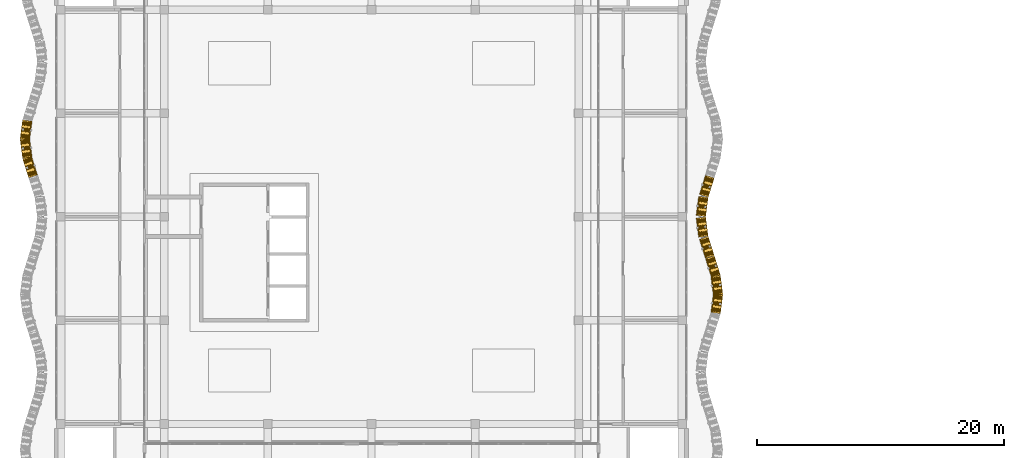
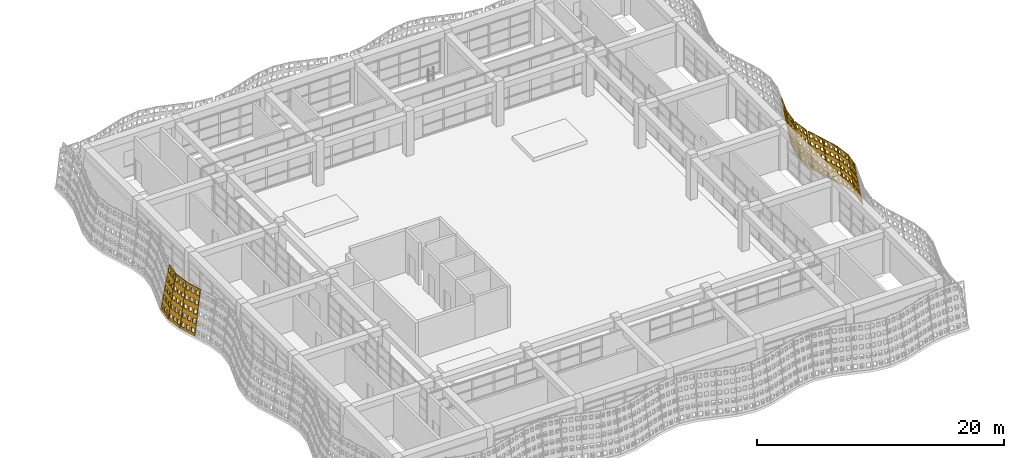
# One storey, part 78 of 85: 10 coverings.
"""IFC4 building model written with IfcOpenShell, lengths in metres."""

from ifc_helpers import new_model, si_unit, direction, frame, origin, place, context, subcontext, project, spatial, polyline, outline, extrude, material, layer, layer_set, type_object, element, save


model = new_model("IFC4")

# Units and contexts
model_context = context("Model", 3, precision=1e-05, world=origin(), true_north=direction((0.0, 1.0)))
body_context = subcontext(model_context, "Body", "Model", "MODEL_VIEW")
ifc_project = project(units=[si_unit("LENGTHUNIT", "METRE"), si_unit("AREAUNIT", "SQUARE_METRE"), si_unit("VOLUMEUNIT", "CUBIC_METRE"), si_unit("PLANEANGLEUNIT", "RADIAN"), si_unit("MASSUNIT", "GRAM", prefix="KILO")], contexts=[model_context])

# Site, building, storey
site_placement = place(None, origin())
site = spatial("IfcSite", under=ifc_project, at=site_placement, CompositionType="ELEMENT")
building_placement = place(site_placement, origin())
building = spatial("IfcBuilding", under=site, at=building_placement, Name="Rain Tree Exposition and Congress Centre", CompositionType="ELEMENT")
storey_placement = place(building_placement, frame((0.0, 0.0, 15.0)))
storey = spatial("IfcBuildingStorey", under=building, at=storey_placement, Name="L03", CompositionType="ELEMENT", Elevation=15.0)

# Coverings
ifc_material = material(Name="Perforated terracotta", Category="masonry")
ifc_layer = layer(ifc_material, 0.080078125)
ifc_layer_set = layer_set([ifc_layer], Name="Perforated terracotta")
covering_type = type_object("IfcCoveringType", Name="Terracotta screen 80", PredefinedType="CLADDING", material=ifc_layer_set)
covering_1_placement = place(storey_placement, frame((53.4931640625, 17.3251953125, 0.01318359375), z_axis=(-0.978036007662, 0.127967328105, -0.16452942185), x_axis=(-0.129735338481, -0.991548658387, 0.0)))
element("IfcCovering", 1, at=covering_1_placement, inside=storey, type_object=covering_type, Name="wing/screen/L03/046", PredefinedType="CLADDING", context=body_context, shape_type="SweptSolid", body=[
    extrude(outline(polyline([(-1.56298828125, 0.0), (-1.56298828125, 4.295166015625), (-0.02197265625, 4.295166015625), (-0.02197265625, 0.0), (-1.56298828125, 0.0)]), holes=[polyline([(-0.11962890625, 0.2216796875), (-0.11962890625, 0.63720703125), (-0.43798828125, 0.63720703125), (-0.43798828125, 0.2216796875), (-0.11962890625, 0.2216796875)]), polyline([(-0.11962890625, 1.080810546875), (-0.11962890625, 1.496337890625), (-0.43798828125, 1.496337890625), (-0.43798828125, 1.080810546875), (-0.11962890625, 1.080810546875)]), polyline([(-0.11962890625, 1.939697265625), (-0.11962890625, 2.35546875), (-0.43798828125, 2.35546875), (-0.43798828125, 1.939697265625), (-0.11962890625, 1.939697265625)]), polyline([(-0.11962890625, 2.798583984375), (-0.11962890625, 3.21435546875), (-0.43798828125, 3.21435546875), (-0.43798828125, 2.798583984375), (-0.11962890625, 2.798583984375)]), polyline([(-0.11962890625, 3.65771484375), (-0.11962890625, 4.073486328125), (-0.43798828125, 4.073486328125), (-0.43798828125, 3.65771484375), (-0.11962890625, 3.65771484375)]), polyline([(-0.63330078125, 0.2216796875), (-0.63330078125, 0.63720703125), (-0.95166015625, 0.63720703125), (-0.95166015625, 0.2216796875), (-0.63330078125, 0.2216796875)]), polyline([(-0.63330078125, 1.080810546875), (-0.63330078125, 1.496337890625), (-0.95166015625, 1.496337890625), (-0.95166015625, 1.080810546875), (-0.63330078125, 1.080810546875)]), polyline([(-0.63330078125, 1.939697265625), (-0.63330078125, 2.35546875), (-0.95166015625, 2.35546875), (-0.95166015625, 1.939697265625), (-0.63330078125, 1.939697265625)]), polyline([(-0.63330078125, 2.798583984375), (-0.63330078125, 3.21435546875), (-0.95166015625, 3.21435546875), (-0.95166015625, 2.798583984375), (-0.63330078125, 2.798583984375)]), polyline([(-0.63330078125, 3.65771484375), (-0.63330078125, 4.073486328125), (-0.95166015625, 4.073486328125), (-0.95166015625, 3.65771484375), (-0.63330078125, 3.65771484375)]), polyline([(-1.146728515625, 0.2216796875), (-1.146728515625, 0.63720703125), (-1.46533203125, 0.63720703125), (-1.46533203125, 0.2216796875), (-1.146728515625, 0.2216796875)]), polyline([(-1.146728515625, 1.080810546875), (-1.146728515625, 1.496337890625), (-1.46533203125, 1.496337890625), (-1.46533203125, 1.080810546875), (-1.146728515625, 1.080810546875)]), polyline([(-1.146728515625, 1.939697265625), (-1.146728515625, 2.35546875), (-1.46533203125, 2.35546875), (-1.46533203125, 1.939697265625), (-1.146728515625, 1.939697265625)]), polyline([(-1.146728515625, 2.798583984375), (-1.146728515625, 3.21435546875), (-1.46533203125, 3.21435546875), (-1.46533203125, 2.798583984375), (-1.146728515625, 2.798583984375)]), polyline([(-1.146728515625, 3.65771484375), (-1.146728515625, 4.073486328125), (-1.46533203125, 4.073486328125), (-1.46533203125, 3.65771484375), (-1.146728515625, 3.65771484375)])]), origin(), (0.0, 0.0, 1.0), 0.080078125),
])
covering_2_placement = place(storey_placement, frame((53.697998046875, 18.899658203125, 0.01318359375), z_axis=(-0.9779030419, -0.128349774249, -0.165021138321), x_axis=(0.130133906157, -0.991496427865, 0.0)))
element("IfcCovering", 2, at=covering_2_placement, inside=storey, type_object=covering_type, Name="wing/screen/L03/047", PredefinedType="CLADDING", context=body_context, shape_type="SweptSolid", body=[
    extrude(outline(polyline([(-1.56640625, 0.0), (-1.56640625, 4.295166015625), (-0.025390625, 4.295166015625), (-0.025390625, 0.0), (-1.56640625, 0.0)]), holes=[polyline([(-0.123046875, 0.2216796875), (-0.123046875, 0.63720703125), (-0.44140625, 0.63720703125), (-0.44140625, 0.2216796875), (-0.123046875, 0.2216796875)]), polyline([(-0.123046875, 1.080810546875), (-0.123046875, 1.496337890625), (-0.44140625, 1.496337890625), (-0.44140625, 1.080810546875), (-0.123046875, 1.080810546875)]), polyline([(-0.123046875, 1.939697265625), (-0.123046875, 2.35546875), (-0.44140625, 2.35546875), (-0.44140625, 1.939697265625), (-0.123046875, 1.939697265625)]), polyline([(-0.123046875, 2.798583984375), (-0.123046875, 3.21435546875), (-0.44140625, 3.21435546875), (-0.44140625, 2.798583984375), (-0.123046875, 2.798583984375)]), polyline([(-0.123046875, 3.65771484375), (-0.123046875, 4.073486328125), (-0.44140625, 4.073486328125), (-0.44140625, 3.65771484375), (-0.123046875, 3.65771484375)]), polyline([(-0.63671875, 0.2216796875), (-0.63671875, 0.63720703125), (-0.955078125, 0.63720703125), (-0.955078125, 0.2216796875), (-0.63671875, 0.2216796875)]), polyline([(-0.63671875, 1.080810546875), (-0.63671875, 1.496337890625), (-0.955078125, 1.496337890625), (-0.955078125, 1.080810546875), (-0.63671875, 1.080810546875)]), polyline([(-0.63671875, 1.939697265625), (-0.63671875, 2.35546875), (-0.955078125, 2.35546875), (-0.955078125, 1.939697265625), (-0.63671875, 1.939697265625)]), polyline([(-0.63671875, 2.798583984375), (-0.63671875, 3.21435546875), (-0.955078125, 3.21435546875), (-0.955078125, 2.798583984375), (-0.63671875, 2.798583984375)]), polyline([(-0.63671875, 3.65771484375), (-0.63671875, 4.073486328125), (-0.955078125, 4.073486328125), (-0.955078125, 3.65771484375), (-0.63671875, 3.65771484375)]), polyline([(-1.150146484375, 0.2216796875), (-1.150146484375, 0.63720703125), (-1.46875, 0.63720703125), (-1.46875, 0.2216796875), (-1.150146484375, 0.2216796875)]), polyline([(-1.150146484375, 1.080810546875), (-1.150146484375, 1.496337890625), (-1.46875, 1.496337890625), (-1.46875, 1.080810546875), (-1.150146484375, 1.080810546875)]), polyline([(-1.150146484375, 1.939697265625), (-1.150146484375, 2.35546875), (-1.46875, 2.35546875), (-1.46875, 1.939697265625), (-1.150146484375, 1.939697265625)]), polyline([(-1.150146484375, 2.798583984375), (-1.150146484375, 3.21435546875), (-1.46875, 3.21435546875), (-1.46875, 2.798583984375), (-1.150146484375, 2.798583984375)]), polyline([(-1.150146484375, 3.65771484375), (-1.150146484375, 4.073486328125), (-1.46875, 4.073486328125), (-1.46875, 3.65771484375), (-1.150146484375, 3.65771484375)])]), origin(), (0.0, 0.0, 1.0), 0.079833984375),
])
covering_3_placement = place(storey_placement, frame((53.493408203125, 20.474365234375, 0.0126953125), z_axis=(-0.942029390639, -0.295717964052, -0.158529217842), x_axis=(0.29950542383, -0.954094597562, 0.0)))
element("IfcCovering", 3, at=covering_3_placement, inside=storey, type_object=covering_type, Name="wing/screen/L03/048", PredefinedType="CLADDING", context=body_context, shape_type="SweptSolid", body=[
    extrude(outline(polyline([(-1.635986328125, 0.0), (-1.635986328125, 4.291259765625), (-0.02197265625, 4.291259765625), (-0.02197265625, 0.0), (-1.635986328125, 0.0)]), holes=[polyline([(-0.124267578125, 0.221435546875), (-0.124267578125, 0.63671875), (-0.457763671875, 0.63671875), (-0.457763671875, 0.221435546875), (-0.124267578125, 0.221435546875)]), polyline([(-0.124267578125, 1.07958984375), (-0.124267578125, 1.4951171875), (-0.457763671875, 1.4951171875), (-0.457763671875, 1.07958984375), (-0.124267578125, 1.07958984375)]), polyline([(-0.124267578125, 1.93798828125), (-0.124267578125, 2.353271484375), (-0.457763671875, 2.353271484375), (-0.457763671875, 1.93798828125), (-0.124267578125, 1.93798828125)]), polyline([(-0.124267578125, 2.796142578125), (-0.124267578125, 3.21142578125), (-0.457763671875, 3.21142578125), (-0.457763671875, 2.796142578125), (-0.124267578125, 2.796142578125)]), polyline([(-0.124267578125, 3.654541015625), (-0.124267578125, 4.06982421875), (-0.457763671875, 4.06982421875), (-0.457763671875, 3.654541015625), (-0.124267578125, 3.654541015625)]), polyline([(-0.662109375, 0.221435546875), (-0.662109375, 0.63671875), (-0.995849609375, 0.63671875), (-0.995849609375, 0.221435546875), (-0.662109375, 0.221435546875)]), polyline([(-0.662109375, 1.07958984375), (-0.662109375, 1.4951171875), (-0.995849609375, 1.4951171875), (-0.995849609375, 1.07958984375), (-0.662109375, 1.07958984375)]), polyline([(-0.662109375, 1.93798828125), (-0.662109375, 2.353271484375), (-0.995849609375, 2.353271484375), (-0.995849609375, 1.93798828125), (-0.662109375, 1.93798828125)]), polyline([(-0.662109375, 2.796142578125), (-0.662109375, 3.21142578125), (-0.995849609375, 3.21142578125), (-0.995849609375, 2.796142578125), (-0.662109375, 2.796142578125)]), polyline([(-0.662109375, 3.654541015625), (-0.662109375, 4.06982421875), (-0.995849609375, 4.06982421875), (-0.995849609375, 3.654541015625), (-0.662109375, 3.654541015625)]), polyline([(-1.2001953125, 0.221435546875), (-1.2001953125, 0.63671875), (-1.53369140625, 0.63671875), (-1.53369140625, 0.221435546875), (-1.2001953125, 0.221435546875)]), polyline([(-1.2001953125, 1.07958984375), (-1.2001953125, 1.4951171875), (-1.53369140625, 1.4951171875), (-1.53369140625, 1.07958984375), (-1.2001953125, 1.07958984375)]), polyline([(-1.2001953125, 1.93798828125), (-1.2001953125, 2.353271484375), (-1.53369140625, 2.353271484375), (-1.53369140625, 1.93798828125), (-1.2001953125, 1.93798828125)]), polyline([(-1.2001953125, 2.796142578125), (-1.2001953125, 3.21142578125), (-1.53369140625, 3.21142578125), (-1.53369140625, 2.796142578125), (-1.2001953125, 2.796142578125)]), polyline([(-1.2001953125, 3.654541015625), (-1.2001953125, 4.06982421875), (-1.53369140625, 4.06982421875), (-1.53369140625, 3.654541015625), (-1.2001953125, 3.654541015625)])]), origin(), (0.0, 0.0, 1.0), 0.080078125),
])
covering_4_placement = place(storey_placement, frame((52.998291015625, 22.04931640625, 0.0126953125), z_axis=(-0.941684688936, -0.296569528658, -0.158985726703), x_axis=(0.300390227601, -0.953816392794, 0.0)))
element("IfcCovering", 4, at=covering_4_placement, inside=storey, type_object=covering_type, Name="wing/screen/L03/049", PredefinedType="CLADDING", context=body_context, shape_type="SweptSolid", body=[
    extrude(outline(polyline([(-1.635986328125, 0.0), (-1.635986328125, 4.291259765625), (-0.014892578125, 4.291259765625), (-0.014892578125, 0.0), (-1.635986328125, 0.0)]), holes=[polyline([(-0.11767578125, 0.221435546875), (-0.11767578125, 0.63671875), (-0.45263671875, 0.63671875), (-0.45263671875, 0.221435546875), (-0.11767578125, 0.221435546875)]), polyline([(-0.11767578125, 1.07958984375), (-0.11767578125, 1.4951171875), (-0.45263671875, 1.4951171875), (-0.45263671875, 1.07958984375), (-0.11767578125, 1.07958984375)]), polyline([(-0.11767578125, 1.93798828125), (-0.11767578125, 2.353271484375), (-0.45263671875, 2.353271484375), (-0.45263671875, 1.93798828125), (-0.11767578125, 1.93798828125)]), polyline([(-0.11767578125, 2.796142578125), (-0.11767578125, 3.21142578125), (-0.45263671875, 3.21142578125), (-0.45263671875, 2.796142578125), (-0.11767578125, 2.796142578125)]), polyline([(-0.11767578125, 3.654541015625), (-0.11767578125, 4.06982421875), (-0.45263671875, 4.06982421875), (-0.45263671875, 3.654541015625), (-0.11767578125, 3.654541015625)]), polyline([(-0.657958984375, 0.221435546875), (-0.657958984375, 0.63671875), (-0.992919921875, 0.63671875), (-0.992919921875, 0.221435546875), (-0.657958984375, 0.221435546875)]), polyline([(-0.657958984375, 1.07958984375), (-0.657958984375, 1.4951171875), (-0.992919921875, 1.4951171875), (-0.992919921875, 1.07958984375), (-0.657958984375, 1.07958984375)]), polyline([(-0.657958984375, 1.93798828125), (-0.657958984375, 2.353271484375), (-0.992919921875, 2.353271484375), (-0.992919921875, 1.93798828125), (-0.657958984375, 1.93798828125)]), polyline([(-0.657958984375, 2.796142578125), (-0.657958984375, 3.21142578125), (-0.992919921875, 3.21142578125), (-0.992919921875, 2.796142578125), (-0.657958984375, 2.796142578125)]), polyline([(-0.657958984375, 3.654541015625), (-0.657958984375, 4.06982421875), (-0.992919921875, 4.06982421875), (-0.992919921875, 3.654541015625), (-0.657958984375, 3.654541015625)]), polyline([(-1.1982421875, 0.221435546875), (-1.1982421875, 0.63671875), (-1.533203125, 0.63671875), (-1.533203125, 0.221435546875), (-1.1982421875, 0.221435546875)]), polyline([(-1.1982421875, 1.07958984375), (-1.1982421875, 1.4951171875), (-1.533203125, 1.4951171875), (-1.533203125, 1.07958984375), (-1.1982421875, 1.07958984375)]), polyline([(-1.1982421875, 1.93798828125), (-1.1982421875, 2.353271484375), (-1.533203125, 2.353271484375), (-1.533203125, 1.93798828125), (-1.1982421875, 1.93798828125)]), polyline([(-1.1982421875, 2.796142578125), (-1.1982421875, 3.21142578125), (-1.533203125, 3.21142578125), (-1.533203125, 2.796142578125), (-1.1982421875, 2.796142578125)]), polyline([(-1.1982421875, 3.654541015625), (-1.1982421875, 4.06982421875), (-1.533203125, 4.06982421875), (-1.533203125, 3.654541015625), (-1.1982421875, 3.654541015625)])]), origin(), (0.0, 0.0, 1.0), 0.079833984375),
])
covering_5_placement = place(storey_placement, frame((52.503173828125, 23.624755859375, 0.01318359375), z_axis=(-0.978036007662, -0.127967328105, -0.16452942185), x_axis=(0.129735338481, -0.991548658387, 0.0)))
element("IfcCovering", 5, at=covering_5_placement, inside=storey, type_object=covering_type, Name="wing/screen/L03/050", PredefinedType="CLADDING", context=body_context, shape_type="SweptSolid", body=[
    extrude(outline(polyline([(-1.5732421875, 0.0), (-1.5732421875, 4.295166015625), (-0.014892578125, 4.295166015625), (-0.014892578125, 0.0), (-1.5732421875, 0.0)]), holes=[polyline([(-0.11376953125, 0.2216796875), (-0.11376953125, 0.63720703125), (-0.435791015625, 0.63720703125), (-0.435791015625, 0.2216796875), (-0.11376953125, 0.2216796875)]), polyline([(-0.11376953125, 1.080810546875), (-0.11376953125, 1.496337890625), (-0.435791015625, 1.496337890625), (-0.435791015625, 1.080810546875), (-0.11376953125, 1.080810546875)]), polyline([(-0.11376953125, 1.939697265625), (-0.11376953125, 2.35546875), (-0.435791015625, 2.35546875), (-0.435791015625, 1.939697265625), (-0.11376953125, 1.939697265625)]), polyline([(-0.11376953125, 2.798583984375), (-0.11376953125, 3.21435546875), (-0.435791015625, 3.21435546875), (-0.435791015625, 2.798583984375), (-0.11376953125, 2.798583984375)]), polyline([(-0.11376953125, 3.65771484375), (-0.11376953125, 4.073486328125), (-0.435791015625, 4.073486328125), (-0.435791015625, 3.65771484375), (-0.11376953125, 3.65771484375)]), polyline([(-0.633056640625, 0.2216796875), (-0.633056640625, 0.63720703125), (-0.955078125, 0.63720703125), (-0.955078125, 0.2216796875), (-0.633056640625, 0.2216796875)]), polyline([(-0.633056640625, 1.080810546875), (-0.633056640625, 1.496337890625), (-0.955078125, 1.496337890625), (-0.955078125, 1.080810546875), (-0.633056640625, 1.080810546875)]), polyline([(-0.633056640625, 1.939697265625), (-0.633056640625, 2.35546875), (-0.955078125, 2.35546875), (-0.955078125, 1.939697265625), (-0.633056640625, 1.939697265625)]), polyline([(-0.633056640625, 2.798583984375), (-0.633056640625, 3.21435546875), (-0.955078125, 3.21435546875), (-0.955078125, 2.798583984375), (-0.633056640625, 2.798583984375)]), polyline([(-0.633056640625, 3.65771484375), (-0.633056640625, 4.073486328125), (-0.955078125, 4.073486328125), (-0.955078125, 3.65771484375), (-0.633056640625, 3.65771484375)]), polyline([(-1.152587890625, 0.2216796875), (-1.152587890625, 0.63720703125), (-1.474609375, 0.63720703125), (-1.474609375, 0.2216796875), (-1.152587890625, 0.2216796875)]), polyline([(-1.152587890625, 1.080810546875), (-1.152587890625, 1.496337890625), (-1.474609375, 1.496337890625), (-1.474609375, 1.080810546875), (-1.152587890625, 1.080810546875)]), polyline([(-1.152587890625, 1.939697265625), (-1.152587890625, 2.35546875), (-1.474609375, 2.35546875), (-1.474609375, 1.939697265625), (-1.152587890625, 1.939697265625)]), polyline([(-1.152587890625, 2.798583984375), (-1.152587890625, 3.21435546875), (-1.474609375, 3.21435546875), (-1.474609375, 2.798583984375), (-1.152587890625, 2.798583984375)]), polyline([(-1.152587890625, 3.65771484375), (-1.152587890625, 4.073486328125), (-1.474609375, 4.073486328125), (-1.474609375, 3.65771484375), (-1.152587890625, 3.65771484375)])]), origin(), (0.0, 0.0, 1.0), 0.080078125),
])
covering_6_placement = place(storey_placement, frame((52.298095703125, 25.2001953125, 0.01318359375), z_axis=(-0.9779030419, 0.128349774249, -0.165021138321), x_axis=(-0.130133906157, -0.991496427865, 0.0)))
element("IfcCovering", 6, at=covering_6_placement, inside=storey, type_object=covering_type, Name="wing/screen/L03/051", PredefinedType="CLADDING", context=body_context, shape_type="SweptSolid", body=[
    extrude(outline(polyline([(-1.5732421875, 0.0), (-1.5732421875, 4.295166015625), (-0.014892578125, 4.295166015625), (-0.014892578125, 0.0), (-1.5732421875, 0.0)]), holes=[polyline([(-0.11376953125, 0.2216796875), (-0.11376953125, 0.63720703125), (-0.435791015625, 0.63720703125), (-0.435791015625, 0.2216796875), (-0.11376953125, 0.2216796875)]), polyline([(-0.11376953125, 1.080810546875), (-0.11376953125, 1.496337890625), (-0.435791015625, 1.496337890625), (-0.435791015625, 1.080810546875), (-0.11376953125, 1.080810546875)]), polyline([(-0.11376953125, 1.939697265625), (-0.11376953125, 2.35546875), (-0.435791015625, 2.35546875), (-0.435791015625, 1.939697265625), (-0.11376953125, 1.939697265625)]), polyline([(-0.11376953125, 2.798583984375), (-0.11376953125, 3.21435546875), (-0.435791015625, 3.21435546875), (-0.435791015625, 2.798583984375), (-0.11376953125, 2.798583984375)]), polyline([(-0.11376953125, 3.65771484375), (-0.11376953125, 4.073486328125), (-0.435791015625, 4.073486328125), (-0.435791015625, 3.65771484375), (-0.11376953125, 3.65771484375)]), polyline([(-0.633056640625, 0.2216796875), (-0.633056640625, 0.63720703125), (-0.955078125, 0.63720703125), (-0.955078125, 0.2216796875), (-0.633056640625, 0.2216796875)]), polyline([(-0.633056640625, 1.080810546875), (-0.633056640625, 1.496337890625), (-0.955078125, 1.496337890625), (-0.955078125, 1.080810546875), (-0.633056640625, 1.080810546875)]), polyline([(-0.633056640625, 1.939697265625), (-0.633056640625, 2.35546875), (-0.955078125, 2.35546875), (-0.955078125, 1.939697265625), (-0.633056640625, 1.939697265625)]), polyline([(-0.633056640625, 2.798583984375), (-0.633056640625, 3.21435546875), (-0.955078125, 3.21435546875), (-0.955078125, 2.798583984375), (-0.633056640625, 2.798583984375)]), polyline([(-0.633056640625, 3.65771484375), (-0.633056640625, 4.073486328125), (-0.955078125, 4.073486328125), (-0.955078125, 3.65771484375), (-0.633056640625, 3.65771484375)]), polyline([(-1.152587890625, 0.2216796875), (-1.152587890625, 0.63720703125), (-1.474609375, 0.63720703125), (-1.474609375, 0.2216796875), (-1.152587890625, 0.2216796875)]), polyline([(-1.152587890625, 1.080810546875), (-1.152587890625, 1.496337890625), (-1.474609375, 1.496337890625), (-1.474609375, 1.080810546875), (-1.152587890625, 1.080810546875)]), polyline([(-1.152587890625, 1.939697265625), (-1.152587890625, 2.35546875), (-1.474609375, 2.35546875), (-1.474609375, 1.939697265625), (-1.152587890625, 1.939697265625)]), polyline([(-1.152587890625, 2.798583984375), (-1.152587890625, 3.21435546875), (-1.474609375, 3.21435546875), (-1.474609375, 2.798583984375), (-1.152587890625, 2.798583984375)]), polyline([(-1.152587890625, 3.65771484375), (-1.152587890625, 4.073486328125), (-1.474609375, 4.073486328125), (-1.474609375, 3.65771484375), (-1.152587890625, 3.65771484375)])]), origin(), (0.0, 0.0, 1.0), 0.079833984375),
])
covering_7_placement = place(storey_placement, frame((52.50341796875, 26.775634765625, 0.0126953125), z_axis=(-0.942029390639, 0.295717964052, -0.158529217842), x_axis=(-0.29950542383, -0.954094597562, 0.0)))
element("IfcCovering", 7, at=covering_7_placement, inside=storey, type_object=covering_type, Name="wing/screen/L03/052", PredefinedType="CLADDING", context=body_context, shape_type="SweptSolid", body=[
    extrude(outline(polyline([(-1.635986328125, 0.0), (-1.635986328125, 4.291259765625), (-0.014892578125, 4.291259765625), (-0.014892578125, 0.0), (-1.635986328125, 0.0)]), holes=[polyline([(-0.11767578125, 0.221435546875), (-0.11767578125, 0.63671875), (-0.45263671875, 0.63671875), (-0.45263671875, 0.221435546875), (-0.11767578125, 0.221435546875)]), polyline([(-0.11767578125, 1.07958984375), (-0.11767578125, 1.4951171875), (-0.45263671875, 1.4951171875), (-0.45263671875, 1.07958984375), (-0.11767578125, 1.07958984375)]), polyline([(-0.11767578125, 1.93798828125), (-0.11767578125, 2.353271484375), (-0.45263671875, 2.353271484375), (-0.45263671875, 1.93798828125), (-0.11767578125, 1.93798828125)]), polyline([(-0.11767578125, 2.796142578125), (-0.11767578125, 3.21142578125), (-0.45263671875, 3.21142578125), (-0.45263671875, 2.796142578125), (-0.11767578125, 2.796142578125)]), polyline([(-0.11767578125, 3.654541015625), (-0.11767578125, 4.06982421875), (-0.45263671875, 4.06982421875), (-0.45263671875, 3.654541015625), (-0.11767578125, 3.654541015625)]), polyline([(-0.657958984375, 0.221435546875), (-0.657958984375, 0.63671875), (-0.992919921875, 0.63671875), (-0.992919921875, 0.221435546875), (-0.657958984375, 0.221435546875)]), polyline([(-0.657958984375, 1.07958984375), (-0.657958984375, 1.4951171875), (-0.992919921875, 1.4951171875), (-0.992919921875, 1.07958984375), (-0.657958984375, 1.07958984375)]), polyline([(-0.657958984375, 1.93798828125), (-0.657958984375, 2.353271484375), (-0.992919921875, 2.353271484375), (-0.992919921875, 1.93798828125), (-0.657958984375, 1.93798828125)]), polyline([(-0.657958984375, 2.796142578125), (-0.657958984375, 3.21142578125), (-0.992919921875, 3.21142578125), (-0.992919921875, 2.796142578125), (-0.657958984375, 2.796142578125)]), polyline([(-0.657958984375, 3.654541015625), (-0.657958984375, 4.06982421875), (-0.992919921875, 4.06982421875), (-0.992919921875, 3.654541015625), (-0.657958984375, 3.654541015625)]), polyline([(-1.1982421875, 0.221435546875), (-1.1982421875, 0.63671875), (-1.533203125, 0.63671875), (-1.533203125, 0.221435546875), (-1.1982421875, 0.221435546875)]), polyline([(-1.1982421875, 1.07958984375), (-1.1982421875, 1.4951171875), (-1.533203125, 1.4951171875), (-1.533203125, 1.07958984375), (-1.1982421875, 1.07958984375)]), polyline([(-1.1982421875, 1.93798828125), (-1.1982421875, 2.353271484375), (-1.533203125, 2.353271484375), (-1.533203125, 1.93798828125), (-1.1982421875, 1.93798828125)]), polyline([(-1.1982421875, 2.796142578125), (-1.1982421875, 3.21142578125), (-1.533203125, 3.21142578125), (-1.533203125, 2.796142578125), (-1.1982421875, 2.796142578125)]), polyline([(-1.1982421875, 3.654541015625), (-1.1982421875, 4.06982421875), (-1.533203125, 4.06982421875), (-1.533203125, 3.654541015625), (-1.1982421875, 3.654541015625)])]), origin(), (0.0, 0.0, 1.0), 0.080078125),
])
covering_8_placement = place(storey_placement, frame((-3.093017578125, 33.07470703125, 0.01318359375), z_axis=(0.9779030419, -0.128349774249, -0.165021138321), x_axis=(0.130133906157, 0.991496427865, 0.0)))
element("IfcCovering", 8, at=covering_8_placement, inside=storey, type_object=covering_type, Name="wing/screen/L03/114", PredefinedType="CLADDING", context=body_context, shape_type="SweptSolid", body=[
    extrude(outline(polyline([(-1.56298828125, 0.0), (-1.56298828125, 4.295166015625), (-0.02197265625, 4.295166015625), (-0.02197265625, 0.0), (-1.56298828125, 0.0)]), holes=[polyline([(-0.11962890625, 0.2216796875), (-0.11962890625, 0.63720703125), (-0.43798828125, 0.63720703125), (-0.43798828125, 0.2216796875), (-0.11962890625, 0.2216796875)]), polyline([(-0.11962890625, 1.080810546875), (-0.11962890625, 1.496337890625), (-0.43798828125, 1.496337890625), (-0.43798828125, 1.080810546875), (-0.11962890625, 1.080810546875)]), polyline([(-0.11962890625, 1.939697265625), (-0.11962890625, 2.35546875), (-0.43798828125, 2.35546875), (-0.43798828125, 1.939697265625), (-0.11962890625, 1.939697265625)]), polyline([(-0.11962890625, 2.798583984375), (-0.11962890625, 3.21435546875), (-0.43798828125, 3.21435546875), (-0.43798828125, 2.798583984375), (-0.11962890625, 2.798583984375)]), polyline([(-0.11962890625, 3.65771484375), (-0.11962890625, 4.073486328125), (-0.43798828125, 4.073486328125), (-0.43798828125, 3.65771484375), (-0.11962890625, 3.65771484375)]), polyline([(-0.63330078125, 0.2216796875), (-0.63330078125, 0.63720703125), (-0.95166015625, 0.63720703125), (-0.95166015625, 0.2216796875), (-0.63330078125, 0.2216796875)]), polyline([(-0.63330078125, 1.080810546875), (-0.63330078125, 1.496337890625), (-0.95166015625, 1.496337890625), (-0.95166015625, 1.080810546875), (-0.63330078125, 1.080810546875)]), polyline([(-0.63330078125, 1.939697265625), (-0.63330078125, 2.35546875), (-0.95166015625, 2.35546875), (-0.95166015625, 1.939697265625), (-0.63330078125, 1.939697265625)]), polyline([(-0.63330078125, 2.798583984375), (-0.63330078125, 3.21435546875), (-0.95166015625, 3.21435546875), (-0.95166015625, 2.798583984375), (-0.63330078125, 2.798583984375)]), polyline([(-0.63330078125, 3.65771484375), (-0.63330078125, 4.073486328125), (-0.95166015625, 4.073486328125), (-0.95166015625, 3.65771484375), (-0.63330078125, 3.65771484375)]), polyline([(-1.146728515625, 0.2216796875), (-1.146728515625, 0.63720703125), (-1.46533203125, 0.63720703125), (-1.46533203125, 0.2216796875), (-1.146728515625, 0.2216796875)]), polyline([(-1.146728515625, 1.080810546875), (-1.146728515625, 1.496337890625), (-1.46533203125, 1.496337890625), (-1.46533203125, 1.080810546875), (-1.146728515625, 1.080810546875)]), polyline([(-1.146728515625, 1.939697265625), (-1.146728515625, 2.35546875), (-1.46533203125, 2.35546875), (-1.46533203125, 1.939697265625), (-1.146728515625, 1.939697265625)]), polyline([(-1.146728515625, 2.798583984375), (-1.146728515625, 3.21435546875), (-1.46533203125, 3.21435546875), (-1.46533203125, 2.798583984375), (-1.146728515625, 2.798583984375)]), polyline([(-1.146728515625, 3.65771484375), (-1.146728515625, 4.073486328125), (-1.46533203125, 4.073486328125), (-1.46533203125, 3.65771484375), (-1.146728515625, 3.65771484375)])]), origin(), (0.0, 0.0, 1.0), 0.079833984375),
])
covering_9_placement = place(storey_placement, frame((-3.298095703125, 31.500244140625, 0.01318359375), z_axis=(0.9779030419, 0.128349774249, -0.165021138321), x_axis=(-0.130133906157, 0.991496427865, 0.0)))
element("IfcCovering", 9, at=covering_9_placement, inside=storey, type_object=covering_type, Name="wing/screen/L03/115", PredefinedType="CLADDING", context=body_context, shape_type="SweptSolid", body=[
    extrude(outline(polyline([(-1.56640625, 0.0), (-1.56640625, 4.295166015625), (-0.025390625, 4.295166015625), (-0.025390625, 0.0), (-1.56640625, 0.0)]), holes=[polyline([(-0.123046875, 0.2216796875), (-0.123046875, 0.63720703125), (-0.44140625, 0.63720703125), (-0.44140625, 0.2216796875), (-0.123046875, 0.2216796875)]), polyline([(-0.123046875, 1.080810546875), (-0.123046875, 1.496337890625), (-0.44140625, 1.496337890625), (-0.44140625, 1.080810546875), (-0.123046875, 1.080810546875)]), polyline([(-0.123046875, 1.939697265625), (-0.123046875, 2.35546875), (-0.44140625, 2.35546875), (-0.44140625, 1.939697265625), (-0.123046875, 1.939697265625)]), polyline([(-0.123046875, 2.798583984375), (-0.123046875, 3.21435546875), (-0.44140625, 3.21435546875), (-0.44140625, 2.798583984375), (-0.123046875, 2.798583984375)]), polyline([(-0.123046875, 3.65771484375), (-0.123046875, 4.073486328125), (-0.44140625, 4.073486328125), (-0.44140625, 3.65771484375), (-0.123046875, 3.65771484375)]), polyline([(-0.63671875, 0.2216796875), (-0.63671875, 0.63720703125), (-0.955078125, 0.63720703125), (-0.955078125, 0.2216796875), (-0.63671875, 0.2216796875)]), polyline([(-0.63671875, 1.080810546875), (-0.63671875, 1.496337890625), (-0.955078125, 1.496337890625), (-0.955078125, 1.080810546875), (-0.63671875, 1.080810546875)]), polyline([(-0.63671875, 1.939697265625), (-0.63671875, 2.35546875), (-0.955078125, 2.35546875), (-0.955078125, 1.939697265625), (-0.63671875, 1.939697265625)]), polyline([(-0.63671875, 2.798583984375), (-0.63671875, 3.21435546875), (-0.955078125, 3.21435546875), (-0.955078125, 2.798583984375), (-0.63671875, 2.798583984375)]), polyline([(-0.63671875, 3.65771484375), (-0.63671875, 4.073486328125), (-0.955078125, 4.073486328125), (-0.955078125, 3.65771484375), (-0.63671875, 3.65771484375)]), polyline([(-1.150146484375, 0.2216796875), (-1.150146484375, 0.63720703125), (-1.46875, 0.63720703125), (-1.46875, 0.2216796875), (-1.150146484375, 0.2216796875)]), polyline([(-1.150146484375, 1.080810546875), (-1.150146484375, 1.496337890625), (-1.46875, 1.496337890625), (-1.46875, 1.080810546875), (-1.150146484375, 1.080810546875)]), polyline([(-1.150146484375, 1.939697265625), (-1.150146484375, 2.35546875), (-1.46875, 2.35546875), (-1.46875, 1.939697265625), (-1.150146484375, 1.939697265625)]), polyline([(-1.150146484375, 2.798583984375), (-1.150146484375, 3.21435546875), (-1.46875, 3.21435546875), (-1.46875, 2.798583984375), (-1.150146484375, 2.798583984375)]), polyline([(-1.150146484375, 3.65771484375), (-1.150146484375, 4.073486328125), (-1.46875, 4.073486328125), (-1.46875, 3.65771484375), (-1.150146484375, 3.65771484375)])]), origin(), (0.0, 0.0, 1.0), 0.079833984375),
])
covering_10_placement = place(storey_placement, frame((-3.093505859375, 29.925537109375, 0.0126953125), z_axis=(0.942029390639, 0.295717964052, -0.158529217842), x_axis=(-0.29950542383, 0.954094597562, 0.0)))
element("IfcCovering", 10, at=covering_10_placement, inside=storey, type_object=covering_type, Name="wing/screen/L03/116", PredefinedType="CLADDING", context=body_context, shape_type="SweptSolid", body=[
    extrude(outline(polyline([(-1.635986328125, 0.0), (-1.635986328125, 4.291259765625), (-0.02197265625, 4.291259765625), (-0.02197265625, 0.0), (-1.635986328125, 0.0)]), holes=[polyline([(-0.124267578125, 0.221435546875), (-0.124267578125, 0.63671875), (-0.457763671875, 0.63671875), (-0.457763671875, 0.221435546875), (-0.124267578125, 0.221435546875)]), polyline([(-0.124267578125, 1.07958984375), (-0.124267578125, 1.4951171875), (-0.457763671875, 1.4951171875), (-0.457763671875, 1.07958984375), (-0.124267578125, 1.07958984375)]), polyline([(-0.124267578125, 1.93798828125), (-0.124267578125, 2.353271484375), (-0.457763671875, 2.353271484375), (-0.457763671875, 1.93798828125), (-0.124267578125, 1.93798828125)]), polyline([(-0.124267578125, 2.796142578125), (-0.124267578125, 3.21142578125), (-0.457763671875, 3.21142578125), (-0.457763671875, 2.796142578125), (-0.124267578125, 2.796142578125)]), polyline([(-0.124267578125, 3.654541015625), (-0.124267578125, 4.06982421875), (-0.457763671875, 4.06982421875), (-0.457763671875, 3.654541015625), (-0.124267578125, 3.654541015625)]), polyline([(-0.662109375, 0.221435546875), (-0.662109375, 0.63671875), (-0.995849609375, 0.63671875), (-0.995849609375, 0.221435546875), (-0.662109375, 0.221435546875)]), polyline([(-0.662109375, 1.07958984375), (-0.662109375, 1.4951171875), (-0.995849609375, 1.4951171875), (-0.995849609375, 1.07958984375), (-0.662109375, 1.07958984375)]), polyline([(-0.662109375, 1.93798828125), (-0.662109375, 2.353271484375), (-0.995849609375, 2.353271484375), (-0.995849609375, 1.93798828125), (-0.662109375, 1.93798828125)]), polyline([(-0.662109375, 2.796142578125), (-0.662109375, 3.21142578125), (-0.995849609375, 3.21142578125), (-0.995849609375, 2.796142578125), (-0.662109375, 2.796142578125)]), polyline([(-0.662109375, 3.654541015625), (-0.662109375, 4.06982421875), (-0.995849609375, 4.06982421875), (-0.995849609375, 3.654541015625), (-0.662109375, 3.654541015625)]), polyline([(-1.2001953125, 0.221435546875), (-1.2001953125, 0.63671875), (-1.53369140625, 0.63671875), (-1.53369140625, 0.221435546875), (-1.2001953125, 0.221435546875)]), polyline([(-1.2001953125, 1.07958984375), (-1.2001953125, 1.4951171875), (-1.53369140625, 1.4951171875), (-1.53369140625, 1.07958984375), (-1.2001953125, 1.07958984375)]), polyline([(-1.2001953125, 1.93798828125), (-1.2001953125, 2.353271484375), (-1.53369140625, 2.353271484375), (-1.53369140625, 1.93798828125), (-1.2001953125, 1.93798828125)]), polyline([(-1.2001953125, 2.796142578125), (-1.2001953125, 3.21142578125), (-1.53369140625, 3.21142578125), (-1.53369140625, 2.796142578125), (-1.2001953125, 2.796142578125)]), polyline([(-1.2001953125, 3.654541015625), (-1.2001953125, 4.06982421875), (-1.53369140625, 4.06982421875), (-1.53369140625, 3.654541015625), (-1.2001953125, 3.654541015625)])]), origin(), (0.0, 0.0, 1.0), 0.080078125),
])

save(model, "model.ifc")
